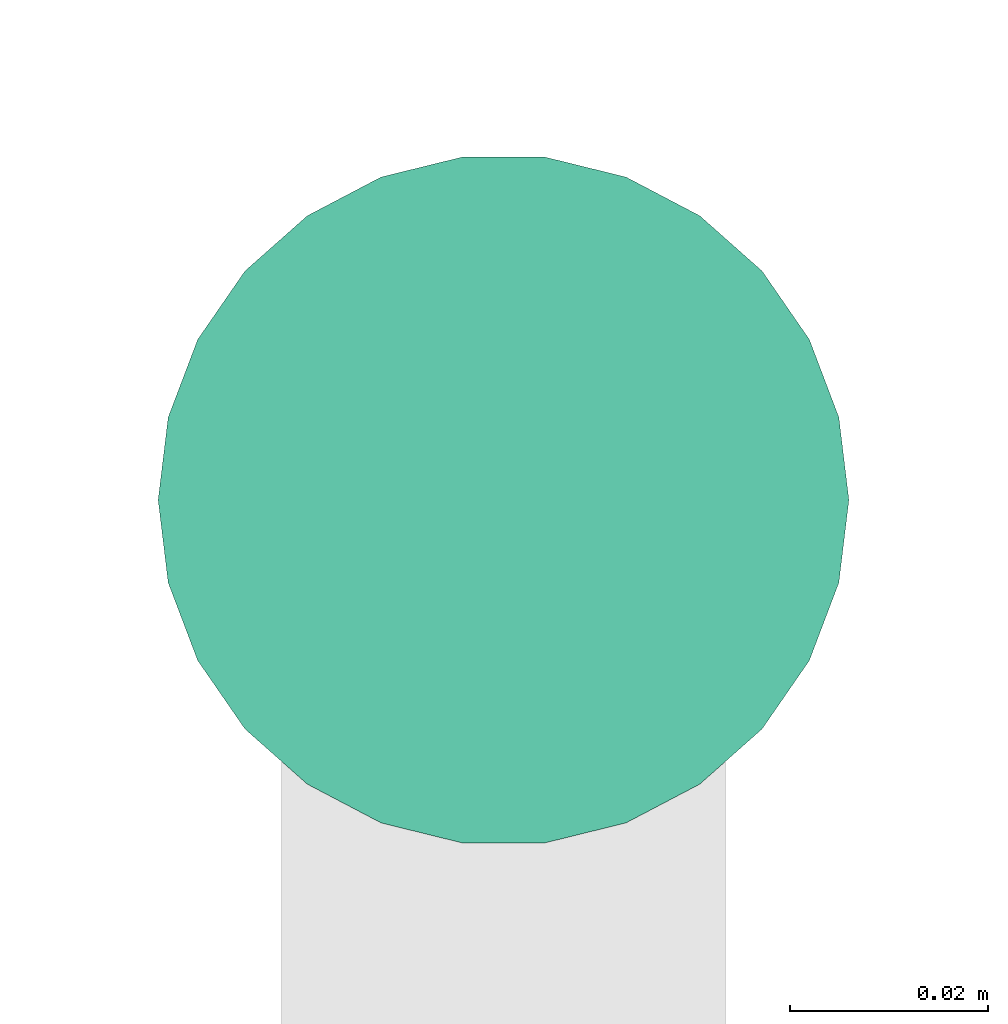
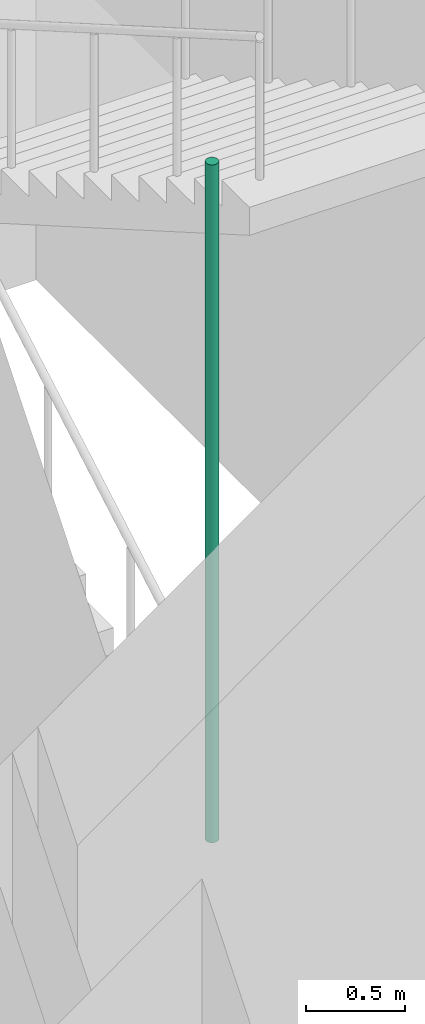
# One storey, part 33 of 37: 1 pipe segment.
"""IFC4 building model written with IfcOpenShell, lengths in metres."""

from ifc_helpers import new_model, si_unit, direction, frame, origin, origin_2d, place, context, subcontext, project, spatial, circle, extrude, element, save


model = new_model("IFC4")

# Units and contexts
model_context = context("Model", 3, precision=1e-05, world=origin(), true_north=direction((0.0, 1.0)))
body_context = subcontext(model_context, "Body", "Model", "MODEL_VIEW")
ifc_project = project(units=[si_unit("LENGTHUNIT", "METRE"), si_unit("AREAUNIT", "SQUARE_METRE"), si_unit("VOLUMEUNIT", "CUBIC_METRE"), si_unit("PLANEANGLEUNIT", "RADIAN"), si_unit("MASSUNIT", "GRAM", prefix="KILO")], contexts=[model_context])

# Site, building, storey
site_placement = place(None, origin())
site = spatial("IfcSite", under=ifc_project, at=site_placement, CompositionType="ELEMENT")
building_placement = place(site_placement, origin())
building = spatial("IfcBuilding", under=site, at=building_placement, Name="Nzadi Deep Aquarium and Research Tower", CompositionType="ELEMENT")
storey_placement = place(building_placement, frame((0.0, 0.0, 57.10009765625)))
storey = spatial("IfcBuildingStorey", under=building, at=storey_placement, Name="L11", CompositionType="ELEMENT", Elevation=57.10009765625)

# Pipe segment
pipe_segment_placement = place(storey_placement, frame((2.300048828125, 12.320068359375, 0.0), z_axis=(0.0, 0.0, 1.0), x_axis=(1.0, 0.0, 0.0)))
element("IfcPipeSegment", 1, at=pipe_segment_placement, inside=storey, Name="Dry riser ST-Z1-SW L11", PredefinedType="RIGIDSEGMENT", context=body_context, shape_type="SweptSolid", body=[
    extrude(circle(Radius=0.034912109375, at=origin_2d()), origin(), (0.0, 0.0, 1.0), 4.199951171875),
])

save(model, "model.ifc")
